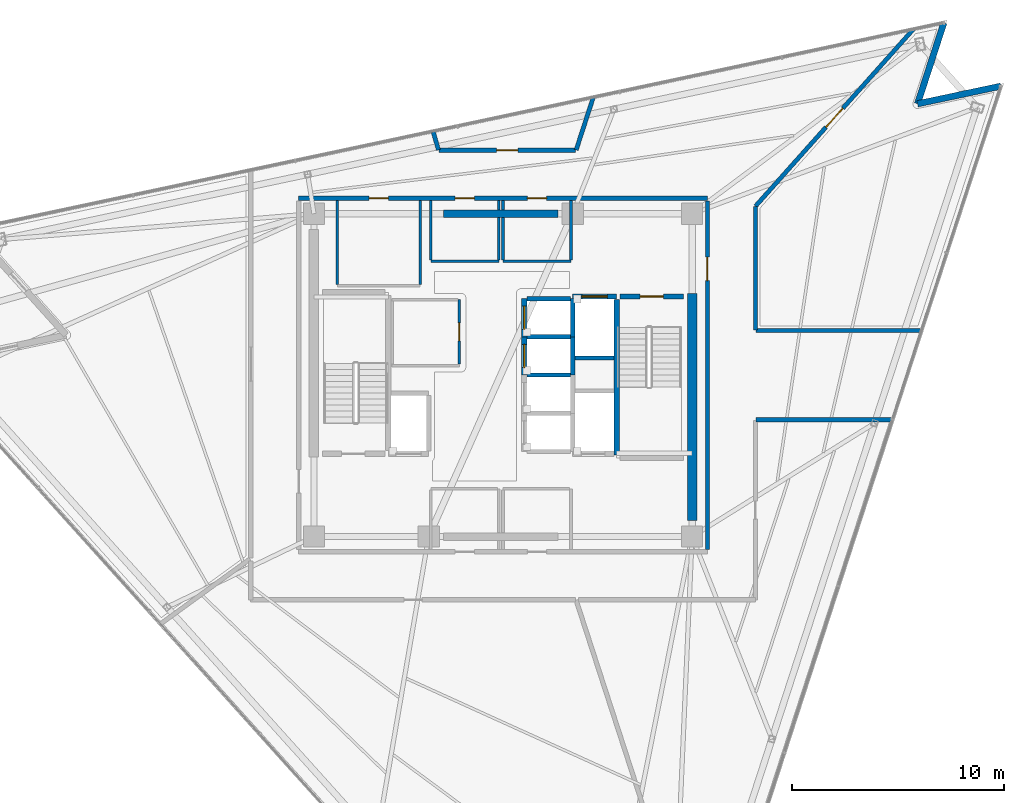
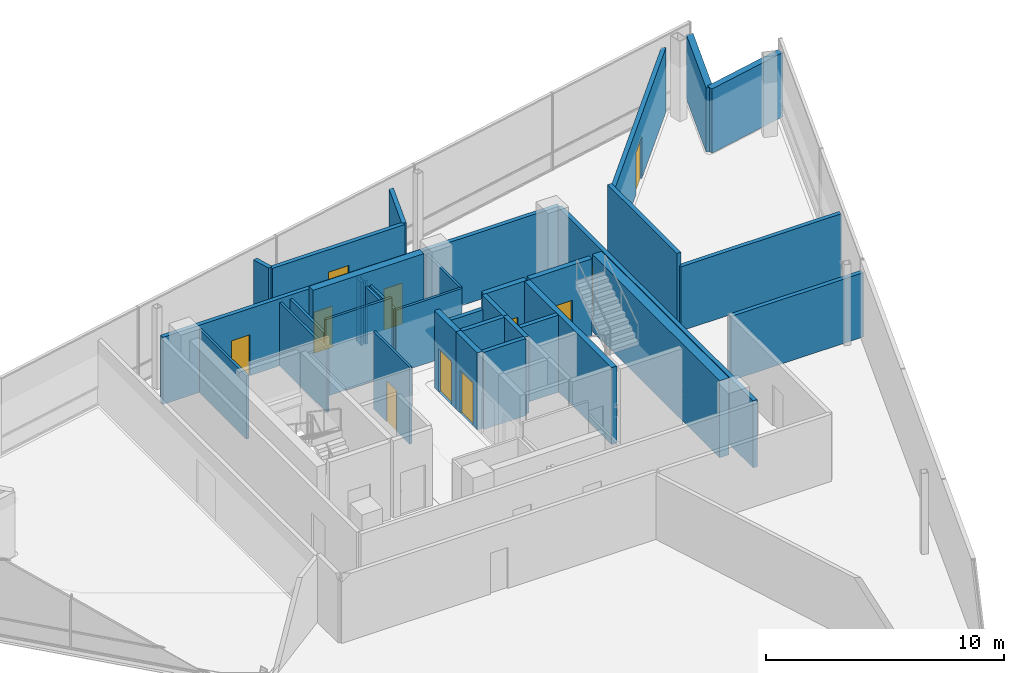
# One storey, part 12 of 16: 35 walls, 11 doors, 11 openings.
"""IFC4 building model written with IfcOpenShell, lengths in metres."""

import ifcopenshell
import ifcopenshell.guid

model = None  # the IFC model being written
_history = None  # IfcOwnerHistory: only IFC2X3 demands one
_inside = {}  # id of a spatial element -> (the spatial element, [elements in it])
_under = {}  # id of a project, library or spatial element -> (it, [spatial elements below it])
_declared = {}  # id of a project -> (the project, [libraries it declares])
_typed = {}  # id of a type object -> (the type object, [elements of that type])
_made_of = {}  # id of a material, layer set ... -> (it, [elements and type objects made of it])


def new_model(schema):
    """Start an empty IFC model of exactly this schema.

    Asked for "IFC4X3", IfcOpenShell would pick the latest addendum, in which some entities
    have other attributes; the version numbers below select the first issue.
    IFC2X3 requires an IfcOwnerHistory on every rooted entity: one is made here for all.
    """
    global model, _history
    if schema == "IFC4X3":
        model = ifcopenshell.file(schema_version=(4, 3, 0, 0))
    else:
        model = ifcopenshell.file(schema=schema)
    _inside.clear()
    _under.clear()
    _declared.clear()
    _typed.clear()
    _made_of.clear()
    _history = None
    if model.schema == "IFC2X3":
        org = make("IfcOrganization", Name="unknown")
        user = make(
            "IfcPersonAndOrganization",
            ThePerson=make("IfcPerson", FamilyName="unknown"),
            TheOrganization=org,
        )
        app = make(
            "IfcApplication",
            ApplicationDeveloper=org,
            Version="unknown",
            ApplicationFullName="unknown",
            ApplicationIdentifier="unknown",
        )
        _history = make(
            "IfcOwnerHistory",
            OwningUser=user,
            OwningApplication=app,
            ChangeAction="ADDED",
            CreationDate=0,
        )
    return model


def make(cls, **values):
    """One entity of the class cls with the attributes given. An attribute that is None is left unset."""
    return model.create_entity(
        cls, **{name: value for name, value in values.items() if value is not None}
    )


def rooted(cls, **values):
    """An entity with a GlobalId (a new one), such as an element, a storey or a relation."""
    return make(cls, GlobalId=ifcopenshell.guid.new(), OwnerHistory=_history, **values)


def si_unit(unit_type, name, prefix=None):
    """IfcSIUnit, for example si_unit("LENGTHUNIT", "METRE", prefix="MILLI")."""
    return make("IfcSIUnit", UnitType=unit_type, Prefix=prefix, Name=name)


def assignment(units):
    """IfcUnitAssignment: the units of a project."""
    return None if units is None else make("IfcUnitAssignment", Units=units)


def point(xyz):
    """IfcCartesianPoint."""
    return None if xyz is None else make("IfcCartesianPoint", Coordinates=xyz)


def direction(xyz):
    """IfcDirection."""
    return None if xyz is None else make("IfcDirection", DirectionRatios=xyz)


def frame(location, z_axis=None, x_axis=None):
    """IfcAxis2Placement3D, a coordinate frame: its origin and axes. An axis left out is left unset."""
    return make(
        "IfcAxis2Placement3D",
        Location=point(location),
        Axis=direction(z_axis),
        RefDirection=direction(x_axis),
    )


def frame_2d(location, x_axis=None):
    """IfcAxis2Placement2D, a coordinate frame in the plane: its origin and x axis."""
    return make(
        "IfcAxis2Placement2D", Location=point(location), RefDirection=direction(x_axis)
    )


def origin():
    """The frame at (0, 0, 0) with its axes left unset."""
    return frame((0.0, 0.0, 0.0))


def place(relative_to, where):
    """IfcLocalPlacement: puts the frame where relative to a parent placement (None: the world)."""
    return make(
        "IfcLocalPlacement", PlacementRelTo=relative_to, RelativePlacement=where
    )


def context(
    kind, dimensions, precision=None, world=None, true_north=None, identifier=None
):
    """IfcGeometricRepresentationContext, for example the 3D "Model" context."""
    return make(
        "IfcGeometricRepresentationContext",
        ContextIdentifier=identifier,
        ContextType=kind,
        CoordinateSpaceDimension=dimensions,
        Precision=precision,
        WorldCoordinateSystem=world,
        TrueNorth=true_north,
    )


def subcontext(parent, identifier, kind, view, scale=None):
    """IfcGeometricRepresentationSubContext, for example "Body" below "Model"."""
    return make(
        "IfcGeometricRepresentationSubContext",
        ContextIdentifier=identifier,
        ContextType=kind,
        ParentContext=parent,
        TargetScale=scale,
        TargetView=view,
    )


def project(units=None, contexts=None):
    """IfcProject with its units and contexts."""
    return rooted(
        "IfcProject",
        Name="project",
        RepresentationContexts=contexts,
        UnitsInContext=assignment(units),
    )


def spatial(cls, under=None, at=None, **own):
    """A site, building, storey or space (cls), placed at a placement, below another one or the project."""
    s = rooted(cls, ObjectPlacement=at, **own)
    if under is not None:
        _under.setdefault(under.id(), (under, []))[1].append(s)
    return s


def profile(cls, at=None, kind="AREA", **sizes):
    """A parametric profile (cls). Its sizes go by their IFC names, for example OverallWidth=200.0."""
    return make(cls, ProfileType=kind, Position=at, **sizes)


def rectangle(**sizes):
    """IfcRectangleProfileDef."""
    return profile("IfcRectangleProfileDef", **sizes)


def extrude(swept, where, along, depth):
    """IfcExtrudedAreaSolid: the profile swept, set in the frame where, extruded along a direction by depth."""
    return make(
        "IfcExtrudedAreaSolid",
        SweptArea=swept,
        Position=where,
        ExtrudedDirection=direction(along),
        Depth=depth,
    )


def shape(context_of_items, identifier, shape_type, items):
    """IfcShapeRepresentation: the items that make up one representation, for example the "Body"."""
    return make(
        "IfcShapeRepresentation",
        ContextOfItems=context_of_items,
        RepresentationIdentifier=identifier,
        RepresentationType=shape_type,
        Items=items,
    )


def material(Name=None, Category=None):
    """IfcMaterial."""
    return make("IfcMaterial", Name=Name, Category=Category)


def layer(
    of_material, thickness, ventilated=None, Name=None, Category=None, Priority=None
):
    """IfcMaterialLayer: one layer of a wall or slab, of a material (None: an air gap)."""
    return make(
        "IfcMaterialLayer",
        Material=of_material,
        LayerThickness=thickness,
        IsVentilated=ventilated,
        Name=Name,
        Category=Category,
        Priority=Priority,
    )


def layer_set(layers, Name=None):
    """IfcMaterialLayerSet."""
    return make("IfcMaterialLayerSet", MaterialLayers=layers, LayerSetName=Name)


def made_of(thing, what):
    """Note that an element or type object is made of a material, layer set ...; save() writes the relation."""
    if what is not None:
        _made_of.setdefault(what.id(), (what, []))[1].append(thing)
    return thing


def type_object(cls, material=None, **own):
    """A type object (cls), such as IfcWallType, which elements share."""
    return made_of(rooted(cls, **own), material)


def element(
    cls,
    number,
    at=None,
    inside=None,
    cuts=None,
    type_object=None,
    material=None,
    context=None,
    identifier="Body",
    shape_type=None,
    held_by="IfcProductDefinitionShape",
    body=None,
    shapes=None,
    **own,
):
    """One element of the class cls, such as IfcWall. Its Tag is "e" and its number.

    at: its placement. inside: the storey or other place that contains it. cuts: it is an
    opening in that element (IfcRelVoidsElement). A single representation is given by context,
    identifier, shape_type and body (its items); several are given by shapes. held_by: the class
    of the entity that holds the representations. save() writes the other relations.
    """
    e = rooted(cls, Tag="e%d" % number, ObjectPlacement=at, **own)
    if body is not None:
        shapes = [shape(context, identifier, shape_type, body)]
    if shapes is not None:
        e.Representation = make(held_by, Representations=shapes)
    if inside is not None:
        _inside.setdefault(inside.id(), (inside, []))[1].append(e)
    if cuts is not None:
        rooted(
            "IfcRelVoidsElement", RelatingBuildingElement=cuts, RelatedOpeningElement=e
        )
    if type_object is not None:
        _typed.setdefault(type_object.id(), (type_object, []))[1].append(e)
    return made_of(e, material)


def fill(opening, filler):
    """IfcRelFillsElement: the door or window that sits in an opening."""
    return rooted(
        "IfcRelFillsElement",
        RelatingOpeningElement=opening,
        RelatedBuildingElement=filler,
    )


def aggregate(whole, parts):
    """IfcRelAggregates: a whole, such as a stair, and the parts it consists of."""
    return rooted("IfcRelAggregates", RelatingObject=whole, RelatedObjects=parts)


def save(model, path):
    """Write the relations noted so far, then the file.

    IfcRelAggregates (storeys below a building ...), IfcRelContainedInSpatialStructure (elements
    in a storey), IfcRelDefinesByType, IfcRelAssociatesMaterial and IfcRelDeclares: one each for
    every whole, place, type object, material and project.
    """
    for whole, parts in _under.values():
        aggregate(whole, parts)
    for where, things in _inside.values():
        rooted(
            "IfcRelContainedInSpatialStructure",
            RelatedElements=things,
            RelatingStructure=where,
        )
    for kind, things in _typed.values():
        rooted("IfcRelDefinesByType", RelatedObjects=things, RelatingType=kind)
    for what, things in _made_of.values():
        rooted("IfcRelAssociatesMaterial", RelatedObjects=things, RelatingMaterial=what)
    for by, libraries in _declared.values():
        rooted("IfcRelDeclares", RelatingContext=by, RelatedDefinitions=libraries)
    model.write(path)


model = new_model("IFC4")

# Units and contexts
model_context = context("Model", 3, precision=1e-05, world=origin(), true_north=direction((0.0, 1.0)))
body_context = subcontext(model_context, "Body", "Model", "MODEL_VIEW")
ifc_project = project(units=[si_unit("LENGTHUNIT", "METRE"), si_unit("AREAUNIT", "SQUARE_METRE"), si_unit("VOLUMEUNIT", "CUBIC_METRE"), si_unit("PLANEANGLEUNIT", "RADIAN"), si_unit("MASSUNIT", "GRAM", prefix="KILO")], contexts=[model_context])

# Site, building, storey
site_placement = place(None, origin())
site = spatial("IfcSite", under=ifc_project, at=site_placement, CompositionType="ELEMENT")
building_placement = place(site_placement, origin())
building = spatial("IfcBuilding", under=site, at=building_placement, Name="Tharavind Bronze Gate", CompositionType="ELEMENT")
storey_placement = place(building_placement, frame((0.0, 0.0, 302.14990234375)))
storey = spatial("IfcBuildingStorey", under=building, at=storey_placement, Name="L78", CompositionType="ELEMENT", Elevation=302.14990234375)

# Walls
ifc_material_1 = material(Name="Concrete C40/50", Category="concrete")
ifc_layer_1 = layer(ifc_material_1, 0.300048828125)
ifc_layer_set_1 = layer_set([ifc_layer_1], Name="Concrete C40/50")
wall_type_1 = type_object("IfcWallType", Name="EXTERIOR SPANDREL WALL 300", PredefinedType="STANDARD", material=ifc_layer_set_1)
wall_1_placement = place(storey_placement, frame((23.433837890625, 13.603271484375, 0.0), z_axis=(0.0, 0.0, 1.0), x_axis=(-0.97815049033, -0.207898095871, 0.0)))
element("IfcWall", 1, at=wall_1_placement, inside=storey, type_object=wall_type_1, Name="L78 notch cheek wall 3A", PredefinedType="STANDARD", context=body_context, shape_type="SweptSolid", body=[
    extrude(rectangle(XDim=4.008056640625, YDim=0.300048828125, at=frame_2d((2.00390625, 0.0))), origin(), (0.0, 0.0, 1.0), 3.295166015625),
])
wall_2_placement = place(storey_placement, frame((19.513427734375, 12.77001953125, 0.0), z_axis=(0.0, 0.0, 1.0), x_axis=(0.309018580232, 0.951056001018, 0.0)))
element("IfcWall", 2, at=wall_2_placement, inside=storey, type_object=wall_type_1, Name="L78 notch cheek wall 3B", PredefinedType="STANDARD", context=body_context, shape_type="SweptSolid", body=[
    extrude(rectangle(XDim=4.0078125, YDim=0.300048828125, at=frame_2d((2.00390625, 0.0))), origin(), (0.0, 0.0, 1.0), 3.295166015625),
])

# Wall, openings, doors
ifc_material_2 = material(Name="Aerated Concrete Block", Category="concrete")
ifc_layer_2 = layer(ifc_material_2, 0.199951171875)
ifc_layer_set_2 = layer_set([ifc_layer_2], Name="Aerated Concrete Block")
wall_type_2 = type_object("IfcWallType", Name="FIRE RATED PARTITION 200", PredefinedType="PARTITIONING", material=ifc_layer_set_2)
wall_3_placement = place(storey_placement, frame((9.6201171875, 8.320068359375, 0.0), z_axis=(0.0, 0.0, 1.0), x_axis=(-1.0, 0.0, 0.0)))
wall_3 = element("IfcWall", 3, at=wall_3_placement, inside=storey, type_object=wall_type_2, Name="L78 north core corridor wall", PredefinedType="PARTITIONING", context=body_context, shape_type="SweptSolid", body=[
    extrude(rectangle(XDim=19.240234375, YDim=0.199951171875, at=frame_2d((9.6201171875, 0.0))), origin(), (0.0, 0.0, 1.0), 3.445068359375),
])
opening_1_placement = place(wall_3_placement, frame((10.969970703125, 0.0, 0.0)))
opening_1 = element("IfcOpeningElement", 4, at=opening_1_placement, cuts=wall_3, Name="Opening ID07", PredefinedType="OPENING", context=body_context, shape_type="SweptSolid", body=[
    extrude(rectangle(XDim=0.89990234375, YDim=2.10009765625, at=frame_2d((0.449951171875, 1.050048828125))), frame((0.0, 0.11009765625, 0.0), z_axis=(0.0, -1.0, 0.0), x_axis=(1.0, 0.0, 0.0)), (0.0, 0.0, 1.0), 0.219951171875),
])
opening_2_placement = place(wall_3_placement, frame((7.570068359375, 0.0, 0.0)))
opening_2 = element("IfcOpeningElement", 5, at=opening_2_placement, cuts=wall_3, Name="Opening ID07", PredefinedType="OPENING", context=body_context, shape_type="SweptSolid", body=[
    extrude(rectangle(XDim=0.89990234375, YDim=2.10009765625, at=frame_2d((0.449951171875, 1.050048828125))), frame((0.0, 0.11009765625, 0.0), z_axis=(0.0, -1.0, 0.0), x_axis=(1.0, 0.0, 0.0)), (0.0, 0.0, 1.0), 0.219951171875),
])
opening_3_placement = place(wall_3_placement, frame((15.02001953125, 0.0, 0.0)))
opening_3 = element("IfcOpeningElement", 6, at=opening_3_placement, cuts=wall_3, Name="Opening ID07", PredefinedType="OPENING", context=body_context, shape_type="SweptSolid", body=[
    extrude(rectangle(XDim=0.89990234375, YDim=2.10009765625, at=frame_2d((0.449951171875, 1.050048828125))), frame((0.0, 0.11009765625, 0.0), z_axis=(0.0, -1.0, 0.0), x_axis=(1.0, 0.0, 0.0)), (0.0, 0.0, 1.0), 0.219951171875),
])
ifc_material_3 = material(Name="Galvanised Fire Steel", Category="steel")
door_type_1 = type_object("IfcDoorType", Name="PLANT AND RISER FIRE DOOR 900X2100", OperationType="SINGLE_SWING_LEFT", PredefinedType="DOOR", material=ifc_material_3)
door_1_placement = place(opening_1_placement, frame((0.89990234375, 0.0, 0.0), z_axis=(0.0, 0.0, 1.0), x_axis=(-1.0, 0.0, 0.0)))
door_1 = element("IfcDoor", 7, at=door_1_placement, inside=storey, type_object=door_type_1, Name="L78 Core Telemetry Room fire door", OperationType="SINGLE_SWING_LEFT", OverallHeight=2.10009765625, OverallWidth=0.89990234375, PredefinedType="DOOR", context=body_context, shape_type="SweptSolid", body=[
    extrude(rectangle(XDim=0.89990234375, YDim=2.10009765625, at=frame_2d((0.449951171875, 1.050048828125))), frame((0.0, 0.02490234375, 0.0), z_axis=(0.0, -1.0, 0.0), x_axis=(1.0, 0.0, 0.0)), (0.0, 0.0, 1.0), 0.050048828125),
])
fill(opening_1, door_1)
door_2_placement = place(opening_2_placement, frame((0.89990234375, 0.0, 0.0), z_axis=(0.0, 0.0, 1.0), x_axis=(-1.0, 0.0, 0.0)))
door_2 = element("IfcDoor", 8, at=door_2_placement, inside=storey, type_object=door_type_1, Name="L78 Core Battery Room fire door", OperationType="SINGLE_SWING_LEFT", OverallHeight=2.10009765625, OverallWidth=0.89990234375, PredefinedType="DOOR", context=body_context, shape_type="SweptSolid", body=[
    extrude(rectangle(XDim=0.89990234375, YDim=2.10009765625, at=frame_2d((0.449951171875, 1.050048828125))), frame((0.0, 0.02490234375, 0.0), z_axis=(0.0, -1.0, 0.0), x_axis=(1.0, 0.0, 0.0)), (0.0, 0.0, 1.0), 0.050048828125),
])
fill(opening_2, door_2)
door_3_placement = place(opening_3_placement, frame((0.89990234375, 0.0, 0.0), z_axis=(0.0, 0.0, 1.0), x_axis=(-1.0, 0.0, 0.0)))
door_3 = element("IfcDoor", 9, at=door_3_placement, inside=storey, type_object=door_type_1, Name="L78 Electrical Switch Room fire door", OperationType="SINGLE_SWING_LEFT", OverallHeight=2.10009765625, OverallWidth=0.89990234375, PredefinedType="DOOR", context=body_context, shape_type="SweptSolid", body=[
    extrude(rectangle(XDim=0.89990234375, YDim=2.10009765625, at=frame_2d((0.449951171875, 1.050048828125))), frame((0.0, 0.02490234375, 0.0), z_axis=(0.0, -1.0, 0.0), x_axis=(1.0, 0.0, 0.0)), (0.0, 0.0, 1.0), 0.050048828125),
])
fill(opening_3, door_3)

# Wall, opening, door
wall_4_placement = place(storey_placement, frame((9.6201171875, -8.199951171875, 0.0), z_axis=(0.0, 0.0, 1.0), x_axis=(0.0, 1.0, 0.0)))
wall_4 = element("IfcWall", 10, at=wall_4_placement, inside=storey, type_object=wall_type_2, Name="L78 east core corridor wall", PredefinedType="PARTITIONING", context=body_context, shape_type="SweptSolid", body=[
    extrude(rectangle(XDim=16.39990234375, YDim=0.199951171875, at=frame_2d((8.199951171875, 0.0))), origin(), (0.0, 0.0, 1.0), 3.445068359375),
])
opening_4_placement = place(wall_4_placement, frame((12.64990234375, 0.0, 0.0)))
opening_4 = element("IfcOpeningElement", 11, at=opening_4_placement, cuts=wall_4, Name="Opening ID01", PredefinedType="OPENING", context=body_context, shape_type="SweptSolid", body=[
    extrude(rectangle(XDim=1.10009765625, YDim=2.14990234375, at=frame_2d((0.550048828125, 1.074951171875))), frame((0.0, 0.11009765625, 0.0), z_axis=(0.0, -1.0, 0.0), x_axis=(1.0, 0.0, 0.0)), (0.0, 0.0, 1.0), 0.219951171875),
])
ifc_material_4 = material(Name="Fire-Rated Steel", Category="steel")
door_type_2 = type_object("IfcDoorType", Name="STAIR CORE FIRE DOOR 1100X2150", OperationType="SINGLE_SWING_LEFT", PredefinedType="DOOR", material=ifc_material_4)
door_4_placement = place(opening_4_placement, frame((1.10009765625, 0.0, 0.0), z_axis=(0.0, 0.0, 1.0), x_axis=(-1.0, 0.0, 0.0)))
door_4 = element("IfcDoor", 12, at=door_4_placement, inside=storey, type_object=door_type_2, Name="L78 north east stair lobby fire door", OperationType="SINGLE_SWING_LEFT", OverallHeight=2.14990234375, OverallWidth=1.10009765625, PredefinedType="DOOR", context=body_context, shape_type="SweptSolid", body=[
    extrude(rectangle(XDim=1.10009765625, YDim=2.14990234375, at=frame_2d((0.550048828125, 1.074951171875))), frame((0.0, 0.02490234375, 0.0), z_axis=(0.0, -1.0, 0.0), x_axis=(1.0, 0.0, 0.0)), (0.0, 0.0, 1.0), 0.050048828125),
])
fill(opening_4, door_4)

# Walls
wall_5_placement = place(storey_placement, frame((11.905029296875, -2.10009765625, 0.0), z_axis=(0.0, 0.0, 1.0), x_axis=(1.0, 0.0, 0.0)))
element("IfcWall", 13, at=wall_5_placement, inside=storey, type_object=wall_type_2, Name="L78 Public Restrooms Block partition", PredefinedType="PARTITIONING", context=body_context, shape_type="SweptSolid", body=[
    extrude(rectangle(XDim=6.426513671875, YDim=0.199951171875, at=frame_2d((3.21337890625, 0.0))), origin(), (0.0, 0.0, 1.0), 3.295166015625),
])
wall_6_placement = place(storey_placement, frame((19.6962890625, 2.10009765625, 0.0), z_axis=(0.0, 0.0, 1.0), x_axis=(-1.0, 0.0, 0.0)))
element("IfcWall", 14, at=wall_6_placement, inside=storey, type_object=wall_type_2, Name="L78 Indoor Panoramas Observatory partition", PredefinedType="PARTITIONING", context=body_context, shape_type="SweptSolid", body=[
    extrude(rectangle(XDim=7.791259765625, YDim=0.199951171875, at=frame_2d((3.8955078125, 0.0))), origin(), (0.0, 0.0, 1.0), 3.295166015625),
])
wall_7_placement = place(storey_placement, frame((11.8798828125, 2.125, 0.0), z_axis=(0.0, 0.0, 1.0), x_axis=(0.0, 1.0, 0.0)))
element("IfcWall", 15, at=wall_7_placement, inside=storey, type_object=wall_type_2, Name="L78 Indoor Panoramas Observatory partition", PredefinedType="PARTITIONING", context=body_context, shape_type="SweptSolid", body=[
    extrude(rectangle(XDim=5.811279296875, YDim=0.199951171875, at=frame_2d((2.90576171875, 0.0))), origin(), (0.0, 0.0, 1.0), 3.9501953125),
])

# Wall, opening, door
wall_8_placement = place(storey_placement, frame((11.88623046875, 7.952880859375, 0.0), z_axis=(0.0, 0.0, 1.0), x_axis=(0.665691620666, 0.746226953531, 0.0)))
wall_8 = element("IfcWall", 16, at=wall_8_placement, inside=storey, type_object=wall_type_2, Name="L78 Indoor Panoramas Observatory partition", PredefinedType="PARTITIONING", context=body_context, shape_type="SweptSolid", body=[
    extrude(rectangle(XDim=11.15283203125, YDim=0.199951171875, at=frame_2d((5.576416015625, 0.0))), origin(), (0.0, 0.0, 1.0), 3.295166015625),
])
opening_5_placement = place(wall_8_placement, frame((4.97607421875, 0.0, 0.0)))
opening_5 = element("IfcOpeningElement", 17, at=opening_5_placement, cuts=wall_8, Name="Opening ID05", PredefinedType="OPENING", context=body_context, shape_type="SweptSolid", body=[
    extrude(rectangle(XDim=1.199951171875, YDim=2.14990234375, at=frame_2d((0.60009765625, 1.074951171875))), frame((0.0, 0.11009765625, 0.0), z_axis=(0.0, -1.0, 0.0), x_axis=(1.0, 0.0, 0.0)), (0.0, 0.0, 1.0), 0.219951171875),
])
ifc_material_5 = material(Name="Acoustic Laminated Glass", Category="glass")
door_type_3 = type_object("IfcDoorType", Name="MEETING ROOM GLAZED DOOR 1200X2150", OperationType="SINGLE_SWING_LEFT", PredefinedType="DOOR", material=ifc_material_5)
door_5_placement = place(opening_5_placement, origin())
door_5 = element("IfcDoor", 18, at=door_5_placement, inside=storey, type_object=door_type_3, Name="L78 Indoor Panoramas Observatory door", OperationType="SINGLE_SWING_LEFT", OverallHeight=2.14990234375, OverallWidth=1.199951171875, PredefinedType="DOOR", context=body_context, shape_type="SweptSolid", body=[
    extrude(rectangle(XDim=1.199951171875, YDim=2.14990234375, at=frame_2d((0.60009765625, 1.074951171875))), frame((0.0, 0.02490234375, 0.0), z_axis=(0.0, -1.0, 0.0), x_axis=(1.0, 0.0, 0.0)), (0.0, 0.0, 1.0), 0.050048828125),
])
fill(opening_5, door_5)

# Wall
wall_9_placement = place(storey_placement, frame((4.248046875, 13.07373046875, 0.0), z_axis=(0.0, 0.0, 1.0), x_axis=(-0.309045789099, -0.95104715984, 0.0)))
element("IfcWall", 19, at=wall_9_placement, inside=storey, type_object=wall_type_2, Name="L78 Observatory Management Office partition", PredefinedType="PARTITIONING", context=body_context, shape_type="SweptSolid", body=[
    extrude(rectangle(XDim=2.603759765625, YDim=0.199951171875, at=frame_2d((1.3017578125, 0.0))), origin(), (0.0, 0.0, 1.0), 3.295166015625),
])

# Wall, opening, door
wall_10_placement = place(storey_placement, frame((3.41943359375, 10.580078125, 0.0), z_axis=(0.0, 0.0, 1.0), x_axis=(-1.0, 0.0, 0.0)))
wall_10 = element("IfcWall", 20, at=wall_10_placement, inside=storey, type_object=wall_type_2, Name="L78 Observatory Management Office partition", PredefinedType="PARTITIONING", context=body_context, shape_type="SweptSolid", body=[
    extrude(rectangle(XDim=6.434326171875, YDim=0.199951171875, at=frame_2d((3.21728515625, 0.0))), origin(), (0.0, 0.0, 1.0), 3.295166015625),
])
opening_6_placement = place(wall_10_placement, frame((2.717041015625, 0.0, 0.0)))
opening_6 = element("IfcOpeningElement", 21, at=opening_6_placement, cuts=wall_10, Name="Opening ID04", PredefinedType="OPENING", context=body_context, shape_type="SweptSolid", body=[
    extrude(rectangle(XDim=1.0, YDim=2.14990234375, at=frame_2d((0.5, 1.074951171875))), frame((0.0, 0.11009765625, 0.0), z_axis=(0.0, -1.0, 0.0), x_axis=(1.0, 0.0, 0.0)), (0.0, 0.0, 1.0), 0.219951171875),
])
ifc_material_6 = material(Name="Bronze Framed Acoustic Timber", Category="wood")
door_type_4 = type_object("IfcDoorType", Name="OFFICE TENANCY DOOR 1000X2150", OperationType="SINGLE_SWING_RIGHT", PredefinedType="DOOR", material=ifc_material_6)
door_6_placement = place(opening_6_placement, origin())
door_6 = element("IfcDoor", 22, at=door_6_placement, inside=storey, type_object=door_type_4, Name="L78 Observatory Management Office door", OperationType="SINGLE_SWING_RIGHT", OverallHeight=2.14990234375, OverallWidth=1.0, PredefinedType="DOOR", context=body_context, shape_type="SweptSolid", body=[
    extrude(rectangle(XDim=1.0, YDim=2.14990234375, at=frame_2d((0.5, 1.074951171875))), frame((0.0, 0.02490234375, 0.0), z_axis=(0.0, -1.0, 0.0), x_axis=(1.0, 0.0, 0.0)), (0.0, 0.0, 1.0), 0.050048828125),
])
fill(opening_6, door_6)

# Wall
wall_11_placement = place(storey_placement, frame((-3.0390625, 10.59814453125, 0.0), z_axis=(0.0, 0.0, 1.0), x_axis=(-0.275488971994, 0.961304231921, 0.0)))
element("IfcWall", 23, at=wall_11_placement, inside=storey, type_object=wall_type_2, Name="L78 Observatory Management Office partition", PredefinedType="PARTITIONING", context=body_context, shape_type="SweptSolid", body=[
    extrude(rectangle(XDim=0.8818359375, YDim=0.199951171875, at=frame_2d((0.44091796875, 0.0))), origin(), (0.0, 0.0, 1.0), 3.295166015625),
])

# Wall, opening, door
ifc_material_7 = material(Name="Metal Stud Gypsum Partition", Category="gypsum")
ifc_layer_3 = layer(ifc_material_7, 0.1201171875)
ifc_layer_set_3 = layer_set([ifc_layer_3], Name="Metal Stud Gypsum Partition")
wall_type_3 = type_object("IfcWallType", Name="INTERIOR PARTITION WALL 120", PredefinedType="PARTITIONING", material=ifc_layer_set_3)
wall_12_placement = place(storey_placement, frame((-2.050048828125, 0.514892578125, 0.0), z_axis=(0.0, 0.0, 1.0), x_axis=(0.0, 1.0, 0.0)))
wall_12 = element("IfcWall", 24, at=wall_12_placement, inside=storey, type_object=wall_type_3, Name="L78 Electrical & Telecom Store partition 2", PredefinedType="PARTITIONING", context=body_context, shape_type="SweptSolid", body=[
    extrude(rectangle(XDim=3.03515625, YDim=0.1201171875, at=frame_2d((1.517578125, 0.0))), origin(), (0.0, 0.0, 1.0), 3.9501953125),
])
opening_7_placement = place(wall_12_placement, frame((1.092041015625, 0.0, 0.0)))
opening_7 = element("IfcOpeningElement", 25, at=opening_7_placement, cuts=wall_12, Name="Opening ID06", PredefinedType="OPENING", context=body_context, shape_type="SweptSolid", body=[
    extrude(rectangle(XDim=0.85009765625, YDim=2.10009765625, at=frame_2d((0.425048828125, 1.050048828125))), frame((0.0, 0.07005859375, 0.0), z_axis=(0.0, -1.0, 0.0), x_axis=(1.0, 0.0, 0.0)), (0.0, 0.0, 1.0), 0.1401171875),
])
ifc_material_8 = material(Name="Moisture-Resistant Timber", Category="wood")
door_type_5 = type_object("IfcDoorType", Name="BATHROOM PRIVACY DOOR 850X2100", OperationType="SINGLE_SWING_RIGHT", PredefinedType="DOOR", material=ifc_material_8)
door_7_placement = place(opening_7_placement, frame((0.85009765625, 0.0, 0.0), z_axis=(0.0, 0.0, 1.0), x_axis=(-1.0, 0.0, 0.0)))
door_7 = element("IfcDoor", 26, at=door_7_placement, inside=storey, type_object=door_type_5, Name="L78 Electrical & Telecom Store door", OperationType="SINGLE_SWING_RIGHT", OverallHeight=2.10009765625, OverallWidth=0.85009765625, PredefinedType="DOOR", context=body_context, shape_type="SweptSolid", body=[
    extrude(rectangle(XDim=0.85009765625, YDim=2.10009765625, at=frame_2d((0.425048828125, 1.050048828125))), frame((0.0, 0.02490234375, 0.0), z_axis=(0.0, -1.0, 0.0), x_axis=(1.0, 0.0, 0.0)), (0.0, 0.0, 1.0), 0.050048828125),
])
fill(opening_7, door_7)

# Walls
wall_13_placement = place(storey_placement, frame((-3.39990234375, 5.35009765625, 0.0), z_axis=(0.0, 0.0, 1.0), x_axis=(1.0, 0.0, 0.0)))
element("IfcWall", 27, at=wall_13_placement, inside=storey, type_object=wall_type_3, Name="L78 Core Telemetry Room partition 1", PredefinedType="PARTITIONING", context=body_context, shape_type="SweptSolid", body=[
    extrude(rectangle(XDim=3.199951171875, YDim=0.1201171875, at=frame_2d((1.60009765625, 0.0))), origin(), (0.0, 0.0, 1.0), 3.9501953125),
])
wall_14_placement = place(storey_placement, frame((-0.199951171875, 5.4150390625, 0.0), z_axis=(0.0, 0.0, 1.0), x_axis=(0.0, 1.0, 0.0)))
element("IfcWall", 28, at=wall_14_placement, inside=storey, type_object=wall_type_3, Name="L78 Core Telemetry Room partition 2", PredefinedType="PARTITIONING", context=body_context, shape_type="SweptSolid", body=[
    extrude(rectangle(XDim=2.0048828125, YDim=0.1201171875, at=frame_2d((1.00244140625, 0.0))), origin(), (0.0, 0.0, 1.0), 3.2451171875),
])
wall_15_placement = place(storey_placement, frame((-0.199951171875, 7.780029296875, 0.0), z_axis=(0.0, 0.0, 1.0), x_axis=(0.0, 1.0, 0.0)))
element("IfcWall", 29, at=wall_15_placement, inside=storey, type_object=wall_type_3, Name="L78 Core Telemetry Room partition 2", PredefinedType="PARTITIONING", context=body_context, shape_type="SweptSolid", body=[
    extrude(rectangle(XDim=0.43505859375, YDim=0.1201171875, at=frame_2d((0.217529296875, 0.0))), origin(), (0.0, 0.0, 1.0), 3.2451171875),
])
wall_16_placement = place(storey_placement, frame((-3.39990234375, 8.215087890625, 0.0), z_axis=(0.0, 0.0, 1.0), x_axis=(0.0, -1.0, 0.0)))
element("IfcWall", 30, at=wall_16_placement, inside=storey, type_object=wall_type_3, Name="L78 Core Telemetry Room partition 4", PredefinedType="PARTITIONING", context=body_context, shape_type="SweptSolid", body=[
    extrude(rectangle(XDim=2.800048828125, YDim=0.1201171875, at=frame_2d((1.39990234375, 0.0))), origin(), (0.0, 0.0, 1.0), 3.2451171875),
])
wall_17_placement = place(storey_placement, frame((0.0, 5.35009765625, 0.0), z_axis=(0.0, 0.0, 1.0), x_axis=(1.0, 0.0, 0.0)))
element("IfcWall", 31, at=wall_17_placement, inside=storey, type_object=wall_type_3, Name="L78 Core Battery Room partition 1", PredefinedType="PARTITIONING", context=body_context, shape_type="SweptSolid", body=[
    extrude(rectangle(XDim=3.199951171875, YDim=0.1201171875, at=frame_2d((1.60009765625, 0.0))), origin(), (0.0, 0.0, 1.0), 3.2451171875),
])
wall_18_placement = place(storey_placement, frame((3.199951171875, 5.4150390625, 0.0), z_axis=(0.0, 0.0, 1.0), x_axis=(0.0, 1.0, 0.0)))
element("IfcWall", 32, at=wall_18_placement, inside=storey, type_object=wall_type_3, Name="L78 Core Battery Room partition 2", PredefinedType="PARTITIONING", context=body_context, shape_type="SweptSolid", body=[
    extrude(rectangle(XDim=2.800048828125, YDim=0.1201171875, at=frame_2d((1.39990234375, 0.0))), origin(), (0.0, 0.0, 1.0), 3.2451171875),
])
wall_19_placement = place(storey_placement, frame((0.0, 8.215087890625, 0.0), z_axis=(0.0, 0.0, 1.0), x_axis=(0.0, -1.0, 0.0)))
element("IfcWall", 33, at=wall_19_placement, inside=storey, type_object=wall_type_3, Name="L78 Core Battery Room partition 4", PredefinedType="PARTITIONING", context=body_context, shape_type="SweptSolid", body=[
    extrude(rectangle(XDim=0.43505859375, YDim=0.1201171875, at=frame_2d((0.217529296875, 0.0))), origin(), (0.0, 0.0, 1.0), 3.2451171875),
])
wall_20_placement = place(storey_placement, frame((0.0, 7.419921875, 0.0), z_axis=(0.0, 0.0, 1.0), x_axis=(0.0, -1.0, 0.0)))
element("IfcWall", 34, at=wall_20_placement, inside=storey, type_object=wall_type_3, Name="L78 Core Battery Room partition 4", PredefinedType="PARTITIONING", context=body_context, shape_type="SweptSolid", body=[
    extrude(rectangle(XDim=2.0048828125, YDim=0.1201171875, at=frame_2d((1.00244140625, 0.0))), origin(), (0.0, 0.0, 1.0), 3.2451171875),
])
for number, where, z_axis, x_axis, name in (
    (35, (-3.89990234375, 4.264892578125, 0.0), (0.0, 0.0, 1.0), (0.0, 1.0, 0.0), "L78 Electrical Switch Room partition 2"),
    (36, (-7.800048828125, 8.215087890625, 0.0), (0.0, 0.0, 1.0), (0.0, -1.0, 0.0), "L78 Electrical Switch Room partition 4"),
):
    element("IfcWall", number, at=place(storey_placement, frame(where, z_axis=z_axis, x_axis=x_axis)), inside=storey, type_object=wall_type_3, Name=name, PredefinedType="PARTITIONING", context=body_context, shape_type="SweptSolid", body=[
        extrude(rectangle(XDim=3.9501953125, YDim=0.1201171875, at=frame_2d((1.97509765625, 0.0))), origin(), (0.0, 0.0, 1.0), 3.2451171875),
    ])
ifc_material_9 = material(Name="Concrete C50/60", Category="concrete")
ifc_layer_4 = layer(ifc_material_9, 0.25)
ifc_layer_set_4 = layer_set([ifc_layer_4], Name="Concrete C50/60")
wall_type_4 = type_object("IfcWallType", Name="RC CORE SHEAR WALL 250", PredefinedType="SHEAR", material=ifc_layer_set_4)
wall_21_placement = place(storey_placement, frame((5.35009765625, -3.75, 0.0), z_axis=(0.0, 0.0, 1.0), x_axis=(0.0, 1.0, 0.0)))
element("IfcWall", 37, at=wall_21_placement, inside=storey, type_object=wall_type_4, Name="L78 ST2 shaft west wall", PredefinedType="SHEAR", context=body_context, shape_type="SweptSolid", body=[
    extrude(rectangle(XDim=7.300048828125, YDim=0.25, at=frame_2d((3.64990234375, 0.0))), origin(), (0.0, 0.0, 1.0), 3.9501953125),
])

# Wall, opening, door
wall_22_placement = place(storey_placement, frame((5.5, 3.699951171875, 0.0), z_axis=(0.0, 0.0, 1.0), x_axis=(1.0, 0.0, 0.0)))
wall_22 = element("IfcWall", 38, at=wall_22_placement, inside=storey, type_object=wall_type_4, Name="L78 ST2 shaft north wall", PredefinedType="SHEAR", context=body_context, shape_type="SweptSolid", body=[
    extrude(rectangle(XDim=3.0, YDim=0.25, at=frame_2d((1.5, 0.0))), origin(), (0.0, 0.0, 1.0), 3.9501953125),
])
opening_8_placement = place(wall_22_placement, frame((0.949951171875, 0.0, 0.0)))
opening_8 = element("IfcOpeningElement", 39, at=opening_8_placement, cuts=wall_22, Name="Opening ID01", PredefinedType="OPENING", context=body_context, shape_type="SweptSolid", body=[
    extrude(rectangle(XDim=1.10009765625, YDim=2.14990234375, at=frame_2d((0.550048828125, 1.074951171875))), frame((0.0, 0.135, 0.0), z_axis=(0.0, -1.0, 0.0), x_axis=(1.0, 0.0, 0.0)), (0.0, 0.0, 1.0), 0.27),
])
door_8_placement = place(opening_8_placement, frame((1.10009765625, 0.0, 0.0), z_axis=(0.0, 0.0, 1.0), x_axis=(-1.0, 0.0, 0.0)))
door_8 = element("IfcDoor", 40, at=door_8_placement, inside=storey, type_object=door_type_2, Name="L78 exit stair ST2 fire door", OperationType="SINGLE_SWING_LEFT", OverallHeight=2.14990234375, OverallWidth=1.10009765625, PredefinedType="DOOR", context=body_context, shape_type="SweptSolid", body=[
    extrude(rectangle(XDim=1.10009765625, YDim=2.14990234375, at=frame_2d((0.550048828125, 1.074951171875))), frame((0.0, 0.02490234375, 0.0), z_axis=(0.0, -1.0, 0.0), x_axis=(1.0, 0.0, 0.0)), (0.0, 0.0, 1.0), 0.050048828125),
])
fill(opening_8, door_8)

wall_23_placement = place(storey_placement, frame((1.0, 0.0, 0.0), z_axis=(0.0, 0.0, 1.0), x_axis=(0.0, 1.0, 0.0)))
wall_23 = element("IfcWall", 41, at=wall_23_placement, inside=storey, type_object=wall_type_4, Name="L78 lift PL11 shaft front wall", PredefinedType="SHEAR", context=body_context, shape_type="SweptSolid", body=[
    extrude(rectangle(XDim=1.800048828125, YDim=0.25, at=frame_2d((0.89990234375, 0.0))), origin(), (0.0, 0.0, 1.0), 3.9501953125),
])
opening_9_placement = place(wall_23_placement, frame((0.35009765625, 0.0, 0.0)))
opening_9 = element("IfcOpeningElement", 42, at=opening_9_placement, cuts=wall_23, Name="Opening LD01", PredefinedType="OPENING", context=body_context, shape_type="SweptSolid", body=[
    extrude(rectangle(XDim=1.10009765625, YDim=2.199951171875, at=frame_2d((0.550048828125, 1.10009765625))), frame((0.0, 0.135, 0.0), z_axis=(0.0, -1.0, 0.0), x_axis=(1.0, 0.0, 0.0)), (0.0, 0.0, 1.0), 0.27),
])
ifc_material_10 = material(Name="Brushed Bronze Stainless Steel", Category="steel")
door_type_6 = type_object("IfcDoorType", Name="LIFT LANDING SLIDING DOOR 1100X2200", OperationType="SLIDING_TO_LEFT", PredefinedType="DOOR", material=ifc_material_10)
door_9_placement = place(opening_9_placement, origin())
door_9 = element("IfcDoor", 43, at=door_9_placement, inside=storey, type_object=door_type_6, Name="L78 lift PL11 sliding landing door", OperationType="SLIDING_TO_LEFT", OverallHeight=2.199951171875, OverallWidth=1.10009765625, PredefinedType="DOOR", context=body_context, shape_type="SweptSolid", body=[
    extrude(rectangle(XDim=1.10009765625, YDim=2.199951171875, at=frame_2d((0.550048828125, 1.10009765625))), frame((0.0, 0.02490234375, 0.0), z_axis=(0.0, -1.0, 0.0), x_axis=(1.0, 0.0, 0.0)), (0.0, 0.0, 1.0), 0.050048828125),
])
fill(opening_9, door_9)

wall_24_placement = place(storey_placement, frame((1.0, 1.800048828125, 0.0), z_axis=(0.0, 0.0, 1.0), x_axis=(0.0, 1.0, 0.0)))
wall_24 = element("IfcWall", 44, at=wall_24_placement, inside=storey, type_object=wall_type_4, Name="L78 lift PL12 shaft front wall", PredefinedType="SHEAR", context=body_context, shape_type="SweptSolid", body=[
    extrude(rectangle(XDim=1.800048828125, YDim=0.25, at=frame_2d((0.89990234375, 0.0))), origin(), (0.0, 0.0, 1.0), 3.9501953125),
])
opening_10_placement = place(wall_24_placement, frame((0.35009765625, 0.0, 0.0)))
opening_10 = element("IfcOpeningElement", 45, at=opening_10_placement, cuts=wall_24, Name="Opening LD01", PredefinedType="OPENING", context=body_context, shape_type="SweptSolid", body=[
    extrude(rectangle(XDim=1.10009765625, YDim=2.199951171875, at=frame_2d((0.550048828125, 1.10009765625))), frame((0.0, 0.135, 0.0), z_axis=(0.0, -1.0, 0.0), x_axis=(1.0, 0.0, 0.0)), (0.0, 0.0, 1.0), 0.27),
])
door_10_placement = place(opening_10_placement, origin())
door_10 = element("IfcDoor", 46, at=door_10_placement, inside=storey, type_object=door_type_6, Name="L78 lift PL12 sliding landing door", OperationType="SLIDING_TO_LEFT", OverallHeight=2.199951171875, OverallWidth=1.10009765625, PredefinedType="DOOR", context=body_context, shape_type="SweptSolid", body=[
    extrude(rectangle(XDim=1.10009765625, YDim=2.199951171875, at=frame_2d((0.550048828125, 1.10009765625))), frame((0.0, 0.02490234375, 0.0), z_axis=(0.0, -1.0, 0.0), x_axis=(1.0, 0.0, 0.0)), (0.0, 0.0, 1.0), 0.050048828125),
])
fill(opening_10, door_10)

wall_25_placement = place(storey_placement, frame((3.280029296875, 3.699951171875, 0.0), z_axis=(0.0, 0.0, 1.0), x_axis=(1.0, 0.0, 0.0)))
wall_25 = element("IfcWall", 47, at=wall_25_placement, inside=storey, type_object=wall_type_4, Name="L78 lift FFL2 shaft front wall", PredefinedType="SHEAR", context=body_context, shape_type="SweptSolid", body=[
    extrude(rectangle(XDim=2.070068359375, YDim=0.25, at=frame_2d((1.03515625, 0.0))), origin(), (0.0, 0.0, 1.0), 3.9501953125),
])
opening_11_placement = place(wall_25_placement, frame((0.43505859375, 0.0, 0.0)))
opening_11 = element("IfcOpeningElement", 48, at=opening_11_placement, cuts=wall_25, Name="Opening LD02", PredefinedType="OPENING", context=body_context, shape_type="SweptSolid", body=[
    extrude(rectangle(XDim=1.199951171875, YDim=2.199951171875, at=frame_2d((0.60009765625, 1.10009765625))), frame((0.0, 0.135, 0.0), z_axis=(0.0, -1.0, 0.0), x_axis=(1.0, 0.0, 0.0)), (0.0, 0.0, 1.0), 0.27),
])
ifc_material_11 = material(Name="Brushed Stainless Steel", Category="steel")
door_type_7 = type_object("IfcDoorType", Name="FIREFIGHTING LIFT LANDING DOOR 1200X2200", OperationType="SLIDING_TO_RIGHT", PredefinedType="DOOR", material=ifc_material_11)
door_11_placement = place(opening_11_placement, origin())
door_11 = element("IfcDoor", 49, at=door_11_placement, inside=storey, type_object=door_type_7, Name="L78 lift FFL2 sliding landing door", OperationType="SLIDING_TO_RIGHT", OverallHeight=2.199951171875, OverallWidth=1.199951171875, PredefinedType="DOOR", context=body_context, shape_type="SweptSolid", body=[
    extrude(rectangle(XDim=1.199951171875, YDim=2.199951171875, at=frame_2d((0.60009765625, 1.10009765625))), frame((0.0, 0.02490234375, 0.0), z_axis=(0.0, -1.0, 0.0), x_axis=(1.0, 0.0, 0.0)), (0.0, 0.0, 1.0), 0.050048828125),
])
fill(opening_11, door_11)

# Walls
ifc_layer_5 = layer(ifc_material_9, 0.35009765625)
ifc_layer_set_5 = layer_set([ifc_layer_5], Name="Concrete C50/60")
wall_type_5 = type_object("IfcWallType", Name="RC CORE SHEAR WALL 350", PredefinedType="SHEAR", material=ifc_layer_set_5)
wall_26_placement = place(storey_placement, frame((-2.800048828125, 7.60009765625, 0.0), z_axis=(0.0, 0.0, 1.0), x_axis=(1.0, 0.0, 0.0)))
element("IfcWall", 50, at=wall_26_placement, inside=storey, type_object=wall_type_5, Name="L78 north core shear wall", PredefinedType="SHEAR", context=body_context, shape_type="SweptSolid", body=[
    extrude(rectangle(XDim=5.380126953125, YDim=0.35009765625, at=frame_2d((2.68994140625, 0.0))), origin(), (0.0, 0.0, 1.0), 3.9501953125),
])
ifc_material_12 = material(Name="Concrete C60/75", Category="concrete")
ifc_layer_6 = layer(ifc_material_12, 0.449951171875)
ifc_layer_set_6 = layer_set([ifc_layer_6], Name="Concrete C60/75")
wall_type_6 = type_object("IfcWallType", Name="RC CORE SHEAR WALL 450", PredefinedType="SHEAR", material=ifc_layer_set_6)
wall_27_placement = place(storey_placement, frame((8.89990234375, -6.85009765625, 0.0), z_axis=(0.0, 0.0, 1.0), x_axis=(0.0, 1.0, 0.0)))
element("IfcWall", 51, at=wall_27_placement, inside=storey, type_object=wall_type_6, Name="L78 east core shear wall", PredefinedType="SHEAR", context=body_context, shape_type="SweptSolid", body=[
    extrude(rectangle(XDim=10.7001953125, YDim=0.449951171875, at=frame_2d((5.35009765625, 0.0))), origin(), (0.0, 0.0, 1.0), 3.9501953125),
])
ifc_layer_7 = layer(ifc_material_1, 0.199951171875)
ifc_layer_set_7 = layer_set([ifc_layer_7], Name="Concrete C40/50")
wall_type_7 = type_object("IfcWallType", Name="SHAFT ENCLOSURE WALL 200", PredefinedType="PARTITIONING", material=ifc_layer_set_7)
wall_28_placement = place(storey_placement, frame((1.1298828125, 0.0, 0.0), z_axis=(0.0, 0.0, 1.0), x_axis=(1.0, 0.0, 0.0)))
element("IfcWall", 52, at=wall_28_placement, inside=storey, type_object=wall_type_7, Name="L78 lift PL10 shaft N enclosure wall", PredefinedType="PARTITIONING", context=body_context, shape_type="SweptSolid", body=[
    extrude(rectangle(XDim=2.045166015625, YDim=0.199951171875, at=frame_2d((1.0224609375, 0.0))), origin(), (0.0, 0.0, 1.0), 3.9501953125),
])
wall_29_placement = place(storey_placement, frame((3.280029296875, 0.0, 0.0), z_axis=(0.0, 0.0, 1.0), x_axis=(0.0, 1.0, 0.0)))
element("IfcWall", 53, at=wall_29_placement, inside=storey, type_object=wall_type_7, Name="L78 lift PL11 shaft E enclosure wall", PredefinedType="PARTITIONING", context=body_context, shape_type="SweptSolid", body=[
    extrude(rectangle(XDim=1.800048828125, YDim=0.199951171875, at=frame_2d((0.89990234375, 0.0))), origin(), (0.0, 0.0, 1.0), 3.9501953125),
])
wall_30_placement = place(storey_placement, frame((1.1298828125, 1.800048828125, 0.0), z_axis=(0.0, 0.0, 1.0), x_axis=(1.0, 0.0, 0.0)))
element("IfcWall", 54, at=wall_30_placement, inside=storey, type_object=wall_type_7, Name="L78 lift PL11 shaft N enclosure wall", PredefinedType="PARTITIONING", context=body_context, shape_type="SweptSolid", body=[
    extrude(rectangle(XDim=2.045166015625, YDim=0.199951171875, at=frame_2d((1.0224609375, 0.0))), origin(), (0.0, 0.0, 1.0), 3.9501953125),
])
wall_31_placement = place(storey_placement, frame((3.280029296875, 1.800048828125, 0.0), z_axis=(0.0, 0.0, 1.0), x_axis=(0.0, 1.0, 0.0)))
element("IfcWall", 55, at=wall_31_placement, inside=storey, type_object=wall_type_7, Name="L78 lift PL12 shaft E enclosure wall", PredefinedType="PARTITIONING", context=body_context, shape_type="SweptSolid", body=[
    extrude(rectangle(XDim=1.800048828125, YDim=0.199951171875, at=frame_2d((0.89990234375, 0.0))), origin(), (0.0, 0.0, 1.0), 3.9501953125),
])
wall_32_placement = place(storey_placement, frame((1.1298828125, 3.60009765625, 0.0), z_axis=(0.0, 0.0, 1.0), x_axis=(1.0, 0.0, 0.0)))
element("IfcWall", 56, at=wall_32_placement, inside=storey, type_object=wall_type_7, Name="L78 lift PL12 shaft N enclosure wall", PredefinedType="PARTITIONING", context=body_context, shape_type="SweptSolid", body=[
    extrude(rectangle(XDim=2.045166015625, YDim=0.199951171875, at=frame_2d((1.0224609375, 0.0))), origin(), (0.0, 0.0, 1.0), 3.2451171875),
])
wall_33_placement = place(storey_placement, frame((3.385009765625, 0.800048828125, 0.0), z_axis=(0.0, 0.0, 1.0), x_axis=(1.0, 0.0, 0.0)))
element("IfcWall", 57, at=wall_33_placement, inside=storey, type_object=wall_type_7, Name="L78 lift FFL2 shaft S enclosure wall", PredefinedType="PARTITIONING", context=body_context, shape_type="SweptSolid", body=[
    extrude(rectangle(XDim=1.8349609375, YDim=0.199951171875, at=frame_2d((0.91748046875, 0.0))), origin(), (0.0, 0.0, 1.0), 3.9501953125),
])

save(model, "model.ifc")
